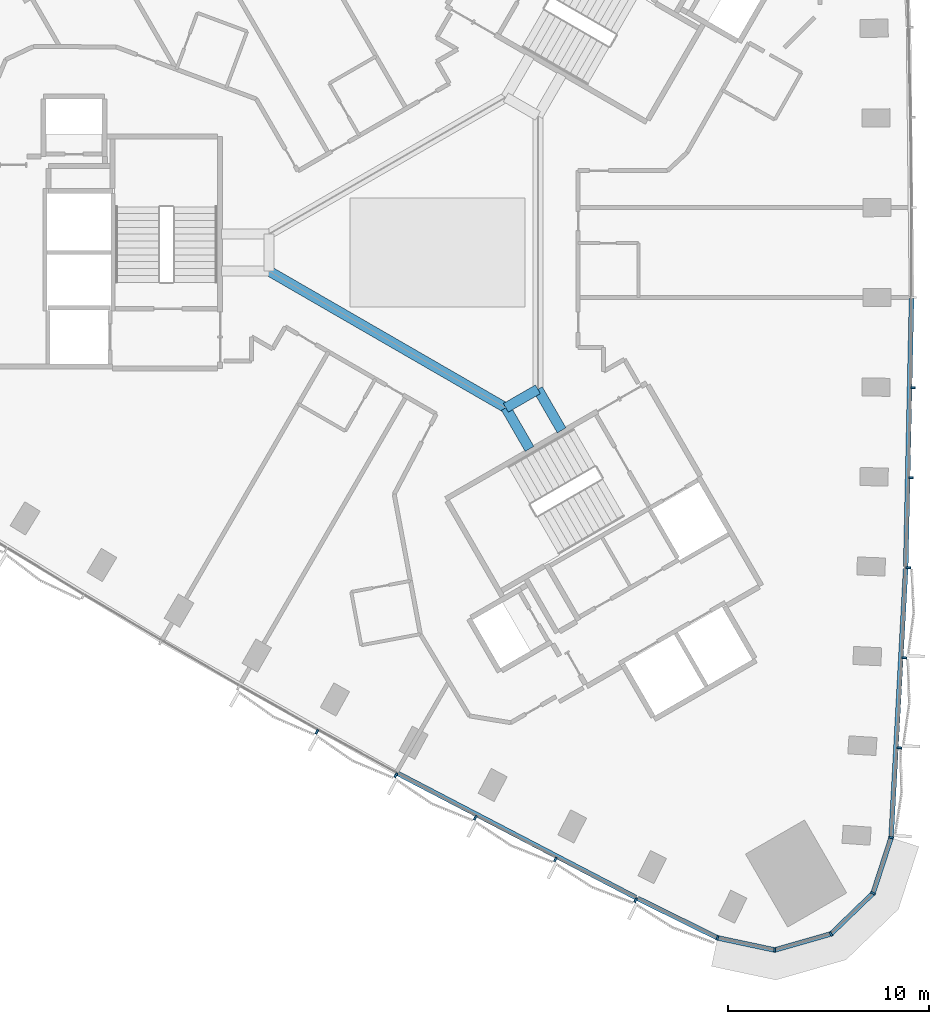
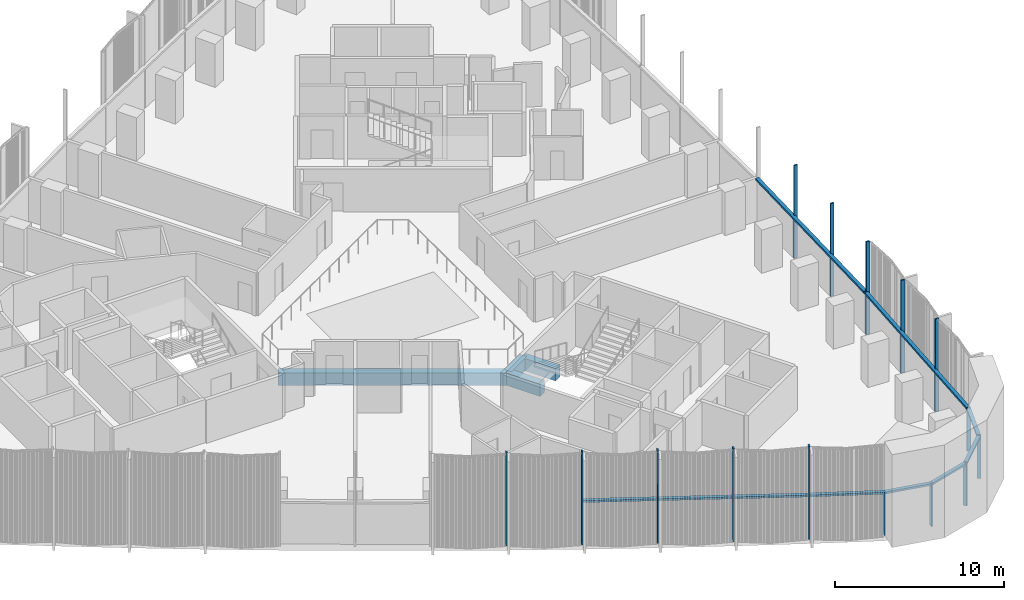
# One storey, part 3 of 15: 23 members, 4 beams, 2 elements without a shape of their own.
"""IFC4 building model written with IfcOpenShell, lengths in metres."""

from ifc_helpers import new_model, si_unit, direction, frame, origin, origin_2d, place, context, subcontext, project, spatial, rectangle, extrude, material, material_profile, profile_set, type_object, element, aggregate, save


model = new_model("IFC4")

# Units and contexts
model_context = context("Model", 3, precision=1e-05, world=origin(), true_north=direction((0.0, 1.0)))
body_context = subcontext(model_context, "Body", "Model", "MODEL_VIEW")
ifc_project = project(units=[si_unit("LENGTHUNIT", "METRE"), si_unit("AREAUNIT", "SQUARE_METRE"), si_unit("VOLUMEUNIT", "CUBIC_METRE"), si_unit("PLANEANGLEUNIT", "RADIAN"), si_unit("MASSUNIT", "GRAM", prefix="KILO")], contexts=[model_context])

# Site, building, storey
site_placement = place(None, origin())
site = spatial("IfcSite", under=ifc_project, at=site_placement, CompositionType="ELEMENT")
building_placement = place(site_placement, origin())
building = spatial("IfcBuilding", under=site, at=building_placement, Name="Tamra Quay Hotel Tower", CompositionType="ELEMENT")
storey_placement = place(building_placement, frame((0.0, 0.0, 35.0)))
storey = spatial("IfcBuildingStorey", under=building, at=storey_placement, Name="L06", CompositionType="ELEMENT", Elevation=35.0)

# Beams
ifc_material_1 = material(Name="Concrete M60", Category="concrete")
ifc_material_profile_1 = material_profile(ifc_material_1, rectangle(XDim=0.5, YDim=0.89990234375, at=origin_2d()), Name="ATRIUM EDGE BEAM RC 500x900")
ifc_profile_set_1 = profile_set([ifc_material_profile_1], Name="Concrete M60")
beam_type_1 = type_object("IfcBeamType", Name="ATRIUM EDGE BEAM RC 500x900", PredefinedType="BEAM", material=ifc_profile_set_1)
beam_1_placement = place(storey_placement, frame((5.0, -6.812744140625, -0.925048828125), z_axis=(-0.86602275259, -0.500004591975, 0.0), x_axis=(0.500004591975, -0.86602275259, 0.0)))
element("IfcBeam", 1, at=beam_1_placement, inside=storey, type_object=beam_type_1, Name="BM-AB1-L06", PredefinedType="BEAM", context=body_context, shape_type="SweptSolid", body=[
    extrude(rectangle(XDim=0.5, YDim=0.89990234375, at=origin_2d()), origin(), (0.0, 0.0, 1.0), 1.84765625),
])
beam_2_placement = place(storey_placement, frame((3.39990234375, -7.736572265625, -0.925048828125), z_axis=(-0.866021471679, 0.500006810544, 0.0), x_axis=(-0.500006810544, -0.866021471679, 0.0)))
element("IfcBeam", 2, at=beam_2_placement, inside=storey, type_object=beam_type_1, Name="BM-AB2-L06", PredefinedType="BEAM", context=body_context, shape_type="SweptSolid", body=[
    extrude(rectangle(XDim=0.5, YDim=0.89990234375, at=origin_2d()), origin(), (0.0, 0.0, 1.0), 13.625244140625),
])
ifc_material_profile_2 = material_profile(ifc_material_1, rectangle(XDim=0.5, YDim=0.89990234375, at=origin_2d()), Name="ATRIUM TIE BEAM RC 500x900")
ifc_profile_set_2 = profile_set([ifc_material_profile_2], Name="Concrete M60")
beam_type_2 = type_object("IfcBeamType", Name="ATRIUM TIE BEAM RC 500x900", PredefinedType="BEAM", material=ifc_profile_set_2)
for number, where, z_axis, x_axis, name in (
    (3, (5.0, -6.812744140625, -0.925048828125), (0.500029618126, -0.866008303076, 0.0), (0.866008303076, 0.500029618126, 0.0), "BM-TIE-1-L06"),
    (4, (3.39990234375, -7.736572265625, -0.925048828125), (0.500029618126, -0.866008303076, 0.0), (0.866008303076, 0.500029618126, 0.0), "BM-TIE-2-L06"),
):
    element("IfcBeam", number, at=place(storey_placement, frame(where, z_axis=z_axis, x_axis=x_axis)), inside=storey, type_object=beam_type_2, Name=name, PredefinedType="BEAM", context=body_context, shape_type="SweptSolid", body=[
        extrude(rectangle(XDim=0.5, YDim=0.89990234375, at=origin_2d()), origin(), (0.0, 0.0, 1.0), 2.362060546875),
    ])

# Curtain wall, members
ifc_material_2 = material(Name="Aluminium 6063 anodised dark grey", Category="aluminium")
curtain_wall_type_1 = type_object("IfcCurtainWallType", Name="CW1 CURTAIN WALL", PredefinedType="NOTDEFINED", material=ifc_material_2)
curtain_wall_1_placement = place(storey_placement, origin())
curtain_wall_1 = element("IfcCurtainWall", 5, at=curtain_wall_1_placement, inside=storey, type_object=curtain_wall_type_1, Name="CW1 east face L06", PredefinedType="NOTDEFINED")
ifc_material_profile_3 = material_profile(ifc_material_2, rectangle(XDim=0.239990234375, YDim=0.10009765625, at=origin_2d()), Name="MULLION 100X240")
ifc_profile_set_3 = profile_set([ifc_material_profile_3], Name="Aluminium 6063 anodised dark grey")
member_type_1 = type_object("IfcMemberType", Name="MULLION CW1 Z1", PredefinedType="MULLION", material=ifc_profile_set_3)
member_1_placement = place(storey_placement, frame((22.5986328125, -29.154052734375, 0.0), z_axis=(0.0, 0.0, 1.0), x_axis=(0.982094520957, -0.188388831692, 0.0)))
member_1 = element("IfcMember", 6, at=member_1_placement, type_object=member_type_1, Name="CW1 mullion L06.E.1", PredefinedType="MULLION", context=body_context, shape_type="SweptSolid", body=[
    extrude(rectangle(XDim=0.239990234375, YDim=0.10009765625, at=origin_2d()), origin(), (0.0, 0.0, 1.0), 3.125),
])
member_2_placement = place(storey_placement, frame((23.009521484375, -24.682373046875, 0.0), z_axis=(0.0, 0.0, 1.0), x_axis=(0.998231966976, -0.05943854058, 0.0)))
member_2 = element("IfcMember", 7, at=member_2_placement, type_object=member_type_1, Name="CW1 mullion L06.E.2", PredefinedType="MULLION", context=body_context, shape_type="SweptSolid", body=[
    extrude(rectangle(XDim=0.239990234375, YDim=0.10009765625, at=origin_2d()), origin(), (0.0, 0.0, 1.0), 6.72509765625),
])
member_3_placement = place(storey_placement, frame((23.252197265625, -20.1982421875, 0.0), z_axis=(0.0, 0.0, 1.0), x_axis=(0.998814683341, -0.048674719753, 0.0)))
member_3 = element("IfcMember", 8, at=member_3_placement, type_object=member_type_1, Name="CW1 mullion L06.E.3", PredefinedType="MULLION", context=body_context, shape_type="SweptSolid", body=[
    extrude(rectangle(XDim=0.239990234375, YDim=0.10009765625, at=origin_2d()), origin(), (0.0, 0.0, 1.0), 6.72509765625),
])
member_4_placement = place(storey_placement, frame((23.446533203125, -15.71240234375, 0.0), z_axis=(0.0, 0.0, 1.0), x_axis=(0.999282264248, -0.037880817816, 0.0)))
member_4 = element("IfcMember", 9, at=member_4_placement, type_object=member_type_1, Name="CW1 mullion L06.E.4", PredefinedType="MULLION", context=body_context, shape_type="SweptSolid", body=[
    extrude(rectangle(XDim=0.239990234375, YDim=0.10009765625, at=origin_2d()), origin(), (0.0, 0.0, 1.0), 6.72509765625),
])
member_5_placement = place(storey_placement, frame((23.59228515625, -11.224609375, 0.0), z_axis=(0.0, 0.0, 1.0), x_axis=(0.999633633589, -0.027066558645, 0.0)))
member_5 = element("IfcMember", 10, at=member_5_placement, type_object=member_type_1, Name="CW1 mullion L06.E.5", PredefinedType="MULLION", context=body_context, shape_type="SweptSolid", body=[
    extrude(rectangle(XDim=0.239990234375, YDim=0.10009765625, at=origin_2d()), origin(), (0.0, 0.0, 1.0), 6.72509765625),
])
member_6_placement = place(storey_placement, frame((23.689697265625, -6.73486328125, 0.0), z_axis=(0.0, 0.0, 1.0), x_axis=(0.999868004854, -0.016247241904, 0.0)))
member_6 = element("IfcMember", 11, at=member_6_placement, type_object=member_type_1, Name="CW1 mullion L06.E.6", PredefinedType="MULLION", context=body_context, shape_type="SweptSolid", body=[
    extrude(rectangle(XDim=0.239990234375, YDim=0.10009765625, at=origin_2d()), origin(), (0.0, 0.0, 1.0), 6.72509765625),
])

curtain_wall_type_2 = type_object("IfcCurtainWallType", Name="CW3 CURTAIN WALL", PredefinedType="NOTDEFINED", material=ifc_material_2)
curtain_wall_2_placement = place(storey_placement, origin())
curtain_wall_2 = element("IfcCurtainWall", 12, at=curtain_wall_2_placement, inside=storey, type_object=curtain_wall_type_2, Name="CW3 south-west face L06", PredefinedType="NOTDEFINED")
ifc_material_profile_4 = material_profile(ifc_material_2, rectangle(XDim=0.239990234375, YDim=0.10009765625, at=origin_2d()), Name="MULLION 100X240")
ifc_profile_set_4 = profile_set([ifc_material_profile_4], Name="Aluminium 6063 anodised dark grey")
member_type_2 = type_object("IfcMemberType", Name="MULLION CW3 Z1", PredefinedType="MULLION", material=ifc_profile_set_4)
member_7_placement = place(storey_placement, frame((-6.01220703125, -23.88330078125, 0.0), z_axis=(0.0, 0.0, 1.0), x_axis=(-0.485863478197, -0.874034713587, 0.0)))
member_7 = element("IfcMember", 13, at=member_7_placement, type_object=member_type_2, Name="CW3 mullion L06.SW.9", PredefinedType="MULLION", context=body_context, shape_type="SweptSolid", body=[
    extrude(rectangle(XDim=0.239990234375, YDim=0.10009765625, at=origin_2d()), origin(), (0.0, 0.0, 1.0), 6.72509765625),
])
member_8_placement = place(storey_placement, frame((-2.075439453125, -26.0439453125, 0.0), z_axis=(0.0, 0.0, 1.0), x_axis=(-0.476376489415, -0.879241400488, 0.0)))
member_8 = element("IfcMember", 14, at=member_8_placement, type_object=member_type_2, Name="CW3 mullion L06.SW.10", PredefinedType="MULLION", context=body_context, shape_type="SweptSolid", body=[
    extrude(rectangle(XDim=0.239990234375, YDim=0.10009765625, at=origin_2d()), origin(), (0.0, 0.0, 1.0), 6.72509765625),
])
member_9_placement = place(storey_placement, frame((1.884033203125, -28.16162109375, 0.0), z_axis=(0.0, 0.0, 1.0), x_axis=(-0.46683538158, -0.884344235298, 0.0)))
member_9 = element("IfcMember", 15, at=member_9_placement, type_object=member_type_2, Name="CW3 mullion L06.SW.11", PredefinedType="MULLION", context=body_context, shape_type="SweptSolid", body=[
    extrude(rectangle(XDim=0.239990234375, YDim=0.10009765625, at=origin_2d()), origin(), (0.0, 0.0, 1.0), 6.72509765625),
])
member_10_placement = place(storey_placement, frame((5.865966796875, -30.236083984375, 0.0), z_axis=(0.0, 0.0, 1.0), x_axis=(-0.457253797843, -0.889336249322, 0.0)))
member_10 = element("IfcMember", 16, at=member_10_placement, type_object=member_type_2, Name="CW3 mullion L06.SW.12", PredefinedType="MULLION", context=body_context, shape_type="SweptSolid", body=[
    extrude(rectangle(XDim=0.239990234375, YDim=0.10009765625, at=origin_2d()), origin(), (0.0, 0.0, 1.0), 6.72509765625),
])
member_11_placement = place(storey_placement, frame((9.870849609375, -32.26806640625, 0.0), z_axis=(0.0, 0.0, 1.0), x_axis=(-0.447640697382, -0.894213512561, 0.0)))
member_11 = element("IfcMember", 17, at=member_11_placement, type_object=member_type_2, Name="CW3 mullion L06.SW.13", PredefinedType="MULLION", context=body_context, shape_type="SweptSolid", body=[
    extrude(rectangle(XDim=0.239990234375, YDim=0.10009765625, at=origin_2d()), origin(), (0.0, 0.0, 1.0), 6.72509765625),
])
member_12_placement = place(storey_placement, frame((13.948974609375, -34.148193359375, 0.0), z_axis=(0.0, 0.0, 1.0), x_axis=(-0.327897746444, -0.944713219912, 0.0)))
member_12 = element("IfcMember", 18, at=member_12_placement, type_object=member_type_2, Name="CW3 mullion L06.SW.14", PredefinedType="MULLION", context=body_context, shape_type="SweptSolid", body=[
    extrude(rectangle(XDim=0.239990234375, YDim=0.10009765625, at=origin_2d()), origin(), (0.0, 0.0, 1.0), 3.125),
])
member_13_placement = place(storey_placement, frame((16.7998046875, -34.754150390625, 0.0), z_axis=(0.0, 0.0, 1.0), x_axis=(0.034915999879, -0.999390250579, 0.0)))
member_13 = element("IfcMember", 19, at=member_13_placement, type_object=member_type_2, Name="CW3 mullion L06.SW.15", PredefinedType="MULLION", context=body_context, shape_type="SweptSolid", body=[
    extrude(rectangle(XDim=0.239990234375, YDim=0.10009765625, at=origin_2d()), origin(), (0.0, 0.0, 1.0), 3.125),
])
member_14_placement = place(storey_placement, frame((19.6015625, -33.95068359375, 0.0), z_axis=(0.0, 0.0, 1.0), x_axis=(0.5, -0.866025403784, 0.0)))
member_14 = element("IfcMember", 20, at=member_14_placement, type_object=member_type_2, Name="CW3 mullion L06.SW.16", PredefinedType="MULLION", context=body_context, shape_type="SweptSolid", body=[
    extrude(rectangle(XDim=0.239990234375, YDim=0.10009765625, at=origin_2d()), origin(), (0.0, 0.0, 1.0), 3.125),
])
member_15_placement = place(storey_placement, frame((21.697998046875, -31.926025390625, 0.0), z_axis=(0.0, 0.0, 1.0), x_axis=(0.848039345356, -0.529933268183, 0.0)))
member_15 = element("IfcMember", 21, at=member_15_placement, type_object=member_type_2, Name="CW3 mullion L06.SW.17", PredefinedType="MULLION", context=body_context, shape_type="SweptSolid", body=[
    extrude(rectangle(XDim=0.239990234375, YDim=0.10009765625, at=origin_2d()), origin(), (0.0, 0.0, 1.0), 3.125),
])

# Member
ifc_material_profile_5 = material_profile(ifc_material_2, rectangle(XDim=0.239990234375, YDim=0.139892578125, at=origin_2d()), Name="TRANSOM 240X140")
ifc_profile_set_5 = profile_set([ifc_material_profile_5], Name="Aluminium 6063 anodised dark grey")
member_type_3 = type_object("IfcMemberType", Name="TRANSOM CW1 Z1", PredefinedType="USERDEFINED", material=ifc_profile_set_5)
member_16_placement = place(storey_placement, frame((22.60205078125, -29.104248046875, 3.054931640625), z_axis=(0.054048600578, 0.998538306113, 0.0), x_axis=(-0.998538306113, 0.054048600578, 0.0)))
member_16 = element("IfcMember", 22, at=member_16_placement, type_object=member_type_3, Name="CW1 transom L06.E.1", ObjectType="TRANSOM", PredefinedType="USERDEFINED", context=body_context, shape_type="SweptSolid", body=[
    extrude(rectangle(XDim=0.239990234375, YDim=0.139892578125, at=origin_2d()), origin(), (0.0, 0.0, 1.0), 13.365966796875),
])

member_17_placement = place(storey_placement, frame((23.328369140625, -15.65771484375, 3.054931640625), z_axis=(0.021644299832, 0.999765734702, 0.0), x_axis=(-0.999765734702, 0.021644299832, 0.0)))
member_17 = element("IfcMember", 23, at=member_17_placement, type_object=member_type_3, Name="CW1 transom L06.E.4", ObjectType="TRANSOM", PredefinedType="USERDEFINED", context=body_context, shape_type="SweptSolid", body=[
    extrude(rectangle(XDim=0.239990234375, YDim=0.139892578125, at=origin_2d()), origin(), (0.0, 0.0, 1.0), 13.366455078125),
])

aggregate(curtain_wall_1, [member_1, member_16, member_2, member_3, member_4, member_17, member_5, member_6])

ifc_material_profile_6 = material_profile(ifc_material_2, rectangle(XDim=0.239990234375, YDim=0.139892578125, at=origin_2d()), Name="TRANSOM 240X140")
ifc_profile_set_6 = profile_set([ifc_material_profile_6], Name="Aluminium 6063 anodised dark grey")
member_type_4 = type_object("IfcMemberType", Name="TRANSOM CW3 Z1", PredefinedType="USERDEFINED", material=ifc_profile_set_6)
member_18_placement = place(storey_placement, frame((-1.97412109375, -25.9619140625, 3.054931640625), z_axis=(0.88684719541, -0.462062822562, 0.0), x_axis=(0.462062822562, 0.88684719541, 0.0)))
member_18 = element("IfcMember", 24, at=member_18_placement, type_object=member_type_4, Name="CW3 transom L06.SW.10", ObjectType="TRANSOM", PredefinedType="USERDEFINED", context=body_context, shape_type="SweptSolid", body=[
    extrude(rectangle(XDim=0.239990234375, YDim=0.139892578125, at=origin_2d()), origin(), (0.0, 0.0, 1.0), 13.36669921875),
])

member_19_placement = place(storey_placement, frame((9.969482421875, -32.182861328125, 3.054931640625), z_axis=(0.896619497593, -0.442801847936, 0.0), x_axis=(0.442801847936, 0.896619497593, 0.0)))
member_19 = element("IfcMember", 25, at=member_19_placement, type_object=member_type_4, Name="CW3 transom L06.SW.13", ObjectType="TRANSOM", PredefinedType="USERDEFINED", context=body_context, shape_type="SweptSolid", body=[
    extrude(rectangle(XDim=0.239990234375, YDim=0.139892578125, at=origin_2d()), origin(), (0.0, 0.0, 1.0), 4.38818359375),
])

member_20_placement = place(storey_placement, frame((13.997802734375, -34.15869140625, 3.054931640625), z_axis=(0.97816524345, -0.207828671039, 0.0), x_axis=(0.207828671039, 0.97816524345, 0.0)))
member_20 = element("IfcMember", 26, at=member_20_placement, type_object=member_type_4, Name="CW3 transom L06.SW.14", ObjectType="TRANSOM", PredefinedType="USERDEFINED", context=body_context, shape_type="SweptSolid", body=[
    extrude(rectangle(XDim=0.239990234375, YDim=0.139892578125, at=origin_2d()), origin(), (0.0, 0.0, 1.0), 2.814697265625),
])

member_21_placement = place(storey_placement, frame((16.847900390625, -34.740234375, 3.054931640625), z_axis=(0.961255085045, 0.275660409698, 0.0), x_axis=(-0.275660409698, 0.961255085045, 0.0)))
member_21 = element("IfcMember", 27, at=member_21_placement, type_object=member_type_4, Name="CW3 transom L06.SW.15", ObjectType="TRANSOM", PredefinedType="USERDEFINED", context=body_context, shape_type="SweptSolid", body=[
    extrude(rectangle(XDim=0.239990234375, YDim=0.139892578125, at=origin_2d()), origin(), (0.0, 0.0, 1.0), 2.814697265625),
])

member_22_placement = place(storey_placement, frame((19.637451171875, -33.916015625, 3.054931640625), z_axis=(0.71931626538, 0.694682740796, 0.0), x_axis=(-0.694682740796, 0.71931626538, 0.0)))
member_22 = element("IfcMember", 28, at=member_22_placement, type_object=member_type_4, Name="CW3 transom L06.SW.16", ObjectType="TRANSOM", PredefinedType="USERDEFINED", context=body_context, shape_type="SweptSolid", body=[
    extrude(rectangle(XDim=0.239990234375, YDim=0.139892578125, at=origin_2d()), origin(), (0.0, 0.0, 1.0), 2.814697265625),
])

member_23_placement = place(storey_placement, frame((21.71337890625, -31.87841796875, 3.054931640625), z_axis=(0.309062535631, 0.951041717839, 0.0), x_axis=(-0.951041717839, 0.309062535631, 0.0)))
member_23 = element("IfcMember", 29, at=member_23_placement, type_object=member_type_4, Name="CW3 transom L06.SW.17", ObjectType="TRANSOM", PredefinedType="USERDEFINED", context=body_context, shape_type="SweptSolid", body=[
    extrude(rectangle(XDim=0.239990234375, YDim=0.139892578125, at=origin_2d()), origin(), (0.0, 0.0, 1.0), 2.814453125),
])

aggregate(curtain_wall_2, [member_7, member_8, member_18, member_9, member_10, member_11, member_19, member_12, member_20, member_13, member_21, member_14, member_22, member_15, member_23])

save(model, "model.ifc")
